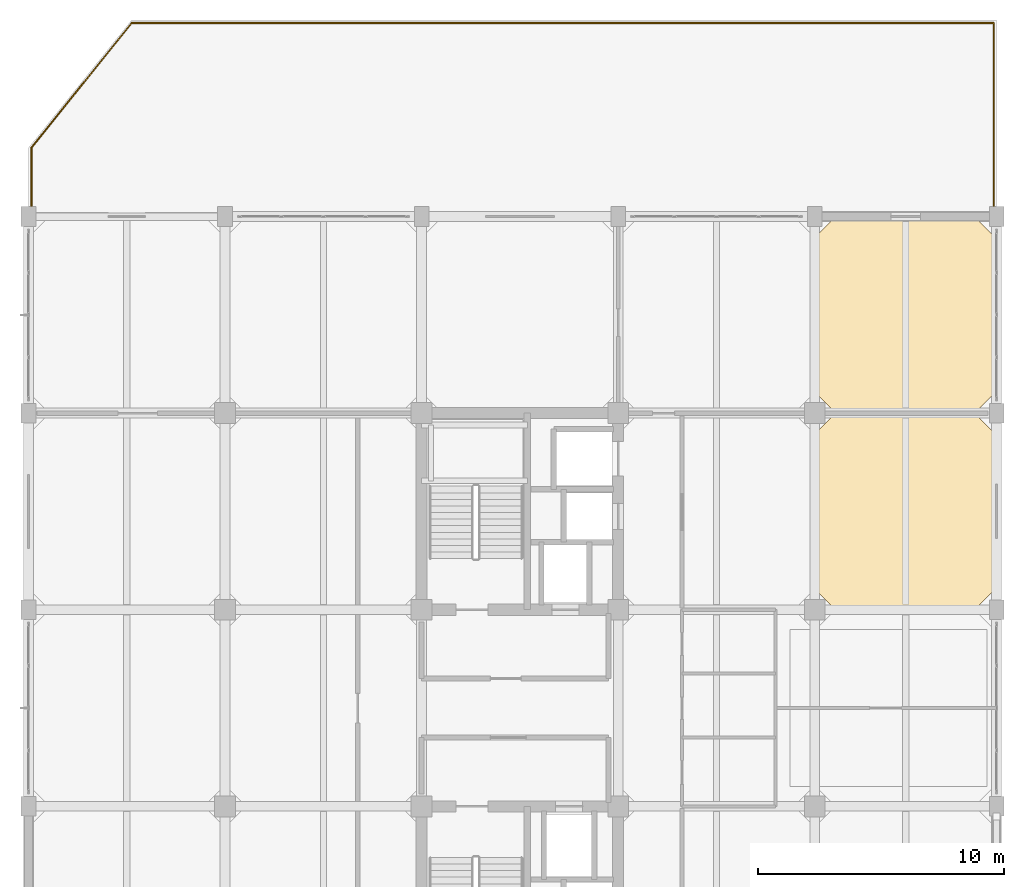
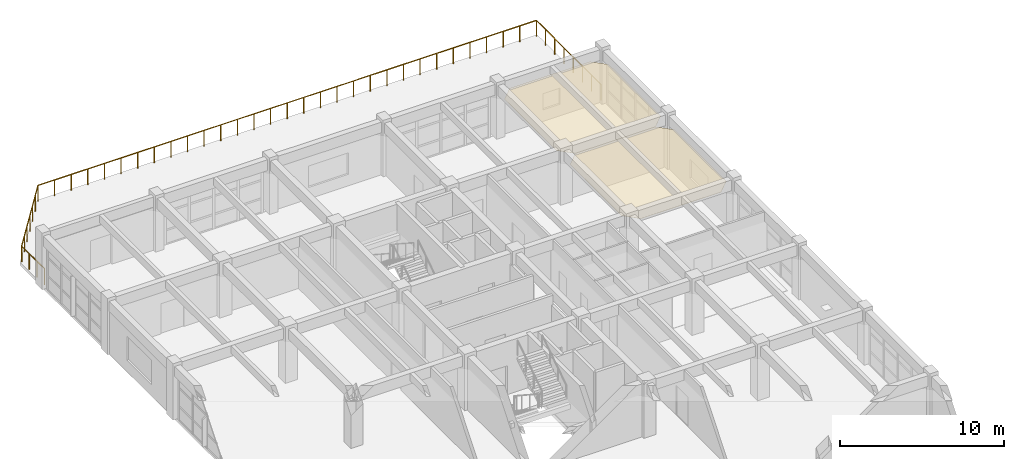
# One storey, part 30 of 30: 2 coverings, 1 railing.
"""IFC4 building model written with IfcOpenShell, lengths in metres."""

from ifc_helpers import new_model, si_unit, direction, frame, origin, origin_2d, place, context, subcontext, project, spatial, polyline, circle, outline, extrude, material, layer, layer_set, type_object, element, save


model = new_model("IFC4")

# Units and contexts
model_context = context("Model", 3, precision=1e-05, world=origin(), true_north=direction((0.0, 1.0)))
body_context = subcontext(model_context, "Body", "Model", "MODEL_VIEW")
ifc_project = project(units=[si_unit("LENGTHUNIT", "METRE"), si_unit("AREAUNIT", "SQUARE_METRE"), si_unit("VOLUMEUNIT", "CUBIC_METRE"), si_unit("PLANEANGLEUNIT", "RADIAN"), si_unit("MASSUNIT", "GRAM", prefix="KILO")], contexts=[model_context])

# Site, building, storey
site_placement = place(None, origin())
site = spatial("IfcSite", under=ifc_project, at=site_placement, CompositionType="ELEMENT")
building_placement = place(site_placement, origin())
building = spatial("IfcBuilding", under=site, at=building_placement, Name="Canggui Botanical Conservatory", CompositionType="ELEMENT")
storey_placement = place(building_placement, frame((0.0, 0.0, 19.199951171875)))
storey = spatial("IfcBuildingStorey", under=building, at=storey_placement, Name="L05", CompositionType="ELEMENT", Elevation=19.199951171875)

# Coverings
ifc_material_1 = material(Name="Mineral Fibre Acoustic Board")
ifc_layer_1 = layer(ifc_material_1, 0.014892578125, Name="Mineral Fibre Acoustic Board")
ifc_layer_set_1 = layer_set([ifc_layer_1], Name="Mineral Fibre Acoustic Board")
covering_type_1 = type_object("IfcCoveringType", Name="COV-CEIL-15", PredefinedType="CEILING", material=ifc_layer_set_1)
covering_1_placement = place(storey_placement, frame((0.0, 0.0, 3.14501953125)))
element("IfcCovering", 1, at=covering_1_placement, inside=storey, type_object=covering_type_1, Name="Suspended Acoustic Ceiling L05-170-66", PredefinedType="CEILING", context=body_context, shape_type="SweptSolid", body=[
    extrude(outline(polyline([(170.85009765625, 66.0), (176.5, 66.0), (177.35009765625, 66.85009765625), (177.35009765625, 73.14990234375), (176.5, 74.0), (170.85009765625, 74.0), (170.0, 73.14990234375), (170.0, 66.85009765625), (170.85009765625, 66.0)])), origin(), (0.0, 0.0, 1.0), 0.01513671875),
])
ifc_material_2 = material(Name="Perforated Gypsum Acoustic Panel")
ifc_layer_2 = layer(ifc_material_2, 0.02001953125, Name="Perforated Gypsum Acoustic Panel")
ifc_layer_set_2 = layer_set([ifc_layer_2], Name="Perforated Gypsum Acoustic Panel")
covering_type_2 = type_object("IfcCoveringType", Name="COV-CEIL-20", PredefinedType="CEILING", material=ifc_layer_set_2)
covering_2_placement = place(storey_placement, frame((0.0, 0.0, 3.14013671875)))
element("IfcCovering", 2, at=covering_2_placement, inside=storey, type_object=covering_type_2, Name="Suspended Acoustic Ceiling L05-170-58", PredefinedType="CEILING", context=body_context, shape_type="SweptSolid", body=[
    extrude(outline(polyline([(170.85009765625, 58.0), (176.5, 58.0), (177.35009765625, 58.85009765625), (177.35009765625, 65.14990234375), (176.5, 66.0), (170.85009765625, 66.0), (170.0, 65.14990234375), (170.0, 58.85009765625), (170.85009765625, 58.0)])), origin(), (0.0, 0.0, 1.0), 0.02001953125),
])

# Railing
ifc_material_3 = material(Name="Laminated Safety Glass", Category="glass")
railing_type = type_object("IfcRailingType", Name="RAIL-TERR-1200", PredefinedType="BALUSTRADE", material=ifc_material_3)
railing_placement = place(storey_placement, frame((138.1201171875, 74.02001953125, 0.0)))
element("IfcRailing", 3, at=railing_placement, inside=storey, type_object=railing_type, Name="Sky Terrace Laminated Glass Balustrade L05", PredefinedType="BALUSTRADE", context=body_context, shape_type="SweptSolid", body=[
    extrude(circle(Radius=0.02392578125, at=origin_2d()), frame((0.0, 0.0, 1.17578125), z_axis=(0.0, 1.0, 0.0), x_axis=(-1.0, 0.0, 0.0)), (0.0, 0.0, 1.0), 2.780029296875),
    extrude(circle(Radius=0.02392578125, at=origin_2d()), frame((0.0, 2.780029296875, 1.17578125), z_axis=(0.626188198729, 0.779671943687, 0.0), x_axis=(-0.779671943687, 0.626188198729, 0.0)), (0.0, 0.0, 1.0), 6.515380859375),
    extrude(circle(Radius=0.02392578125, at=origin_2d()), frame((4.079833984375, 7.85986328125, 1.17578125), z_axis=(1.0, 0.0, 0.0), x_axis=(0.0, 1.0, 0.0)), (0.0, 0.0, 1.0), 35.080078125),
    extrude(circle(Radius=0.02392578125, at=origin_2d()), frame((39.159912109375, 7.85986328125, 1.17578125), z_axis=(0.0, -1.0, 0.0), x_axis=(1.0, 0.0, 0.0)), (0.0, 0.0, 1.0), 7.85986328125),
    extrude(circle(Radius=0.02099609375, at=origin_2d()), origin(), (0.0, 0.0, 1.0), 1.15185546875),
    extrude(circle(Radius=0.02099609375, at=origin_2d()), frame((0.0, 0.9267578125, 0.0)), (0.0, 0.0, 1.0), 1.15185546875),
    extrude(circle(Radius=0.02099609375, at=origin_2d()), frame((0.0, 1.853271484375, 0.0)), (0.0, 0.0, 1.0), 1.15185546875),
    extrude(circle(Radius=0.02099609375, at=origin_2d()), frame((0.0, 2.780029296875, 0.0)), (0.0, 0.0, 1.0), 1.15185546875),
    extrude(circle(Radius=0.02099609375, at=origin_2d()), frame((0.679931640625, 3.626708984375, 0.0)), (0.0, 0.0, 1.0), 1.15185546875),
    extrude(circle(Radius=0.02099609375, at=origin_2d()), frame((1.35986328125, 4.473388671875, 0.0)), (0.0, 0.0, 1.0), 1.15185546875),
    extrude(circle(Radius=0.02099609375, at=origin_2d()), frame((2.0400390625, 5.31982421875, 0.0)), (0.0, 0.0, 1.0), 1.15185546875),
    extrude(circle(Radius=0.02099609375, at=origin_2d()), frame((2.719970703125, 6.16650390625, 0.0)), (0.0, 0.0, 1.0), 1.15185546875),
    extrude(circle(Radius=0.02099609375, at=origin_2d()), frame((3.39990234375, 7.01318359375, 0.0)), (0.0, 0.0, 1.0), 1.15185546875),
    extrude(circle(Radius=0.02099609375, at=origin_2d()), frame((4.079833984375, 7.85986328125, 0.0)), (0.0, 0.0, 1.0), 1.15185546875),
    extrude(circle(Radius=0.02099609375, at=origin_2d()), frame((5.249267578125, 7.85986328125, 0.0)), (0.0, 0.0, 1.0), 1.15185546875),
    extrude(circle(Radius=0.02099609375, at=origin_2d()), frame((6.41845703125, 7.85986328125, 0.0)), (0.0, 0.0, 1.0), 1.15185546875),
    extrude(circle(Radius=0.02099609375, at=origin_2d()), frame((7.587890625, 7.85986328125, 0.0)), (0.0, 0.0, 1.0), 1.15185546875),
    extrude(circle(Radius=0.02099609375, at=origin_2d()), frame((8.757080078125, 7.85986328125, 0.0)), (0.0, 0.0, 1.0), 1.15185546875),
    extrude(circle(Radius=0.02099609375, at=origin_2d()), frame((9.926513671875, 7.85986328125, 0.0)), (0.0, 0.0, 1.0), 1.15185546875),
    extrude(circle(Radius=0.02099609375, at=origin_2d()), frame((11.095947265625, 7.85986328125, 0.0)), (0.0, 0.0, 1.0), 1.15185546875),
    extrude(circle(Radius=0.02099609375, at=origin_2d()), frame((12.26513671875, 7.85986328125, 0.0)), (0.0, 0.0, 1.0), 1.15185546875),
    extrude(circle(Radius=0.02099609375, at=origin_2d()), frame((13.4345703125, 7.85986328125, 0.0)), (0.0, 0.0, 1.0), 1.15185546875),
    extrude(circle(Radius=0.02099609375, at=origin_2d()), frame((14.603759765625, 7.85986328125, 0.0)), (0.0, 0.0, 1.0), 1.15185546875),
    extrude(circle(Radius=0.02099609375, at=origin_2d()), frame((15.773193359375, 7.85986328125, 0.0)), (0.0, 0.0, 1.0), 1.15185546875),
    extrude(circle(Radius=0.02099609375, at=origin_2d()), frame((16.942626953125, 7.85986328125, 0.0)), (0.0, 0.0, 1.0), 1.15185546875),
    extrude(circle(Radius=0.02099609375, at=origin_2d()), frame((18.11181640625, 7.85986328125, 0.0)), (0.0, 0.0, 1.0), 1.15185546875),
    extrude(circle(Radius=0.02099609375, at=origin_2d()), frame((19.28125, 7.85986328125, 0.0)), (0.0, 0.0, 1.0), 1.15185546875),
    extrude(circle(Radius=0.02099609375, at=origin_2d()), frame((20.450439453125, 7.85986328125, 0.0)), (0.0, 0.0, 1.0), 1.15185546875),
    extrude(circle(Radius=0.02099609375, at=origin_2d()), frame((21.619873046875, 7.85986328125, 0.0)), (0.0, 0.0, 1.0), 1.15185546875),
    extrude(circle(Radius=0.02099609375, at=origin_2d()), frame((22.789306640625, 7.85986328125, 0.0)), (0.0, 0.0, 1.0), 1.15185546875),
    extrude(circle(Radius=0.02099609375, at=origin_2d()), frame((23.95849609375, 7.85986328125, 0.0)), (0.0, 0.0, 1.0), 1.15185546875),
    extrude(circle(Radius=0.02099609375, at=origin_2d()), frame((25.1279296875, 7.85986328125, 0.0)), (0.0, 0.0, 1.0), 1.15185546875),
    extrude(circle(Radius=0.02099609375, at=origin_2d()), frame((26.297119140625, 7.85986328125, 0.0)), (0.0, 0.0, 1.0), 1.15185546875),
    extrude(circle(Radius=0.02099609375, at=origin_2d()), frame((27.466552734375, 7.85986328125, 0.0)), (0.0, 0.0, 1.0), 1.15185546875),
    extrude(circle(Radius=0.02099609375, at=origin_2d()), frame((28.635986328125, 7.85986328125, 0.0)), (0.0, 0.0, 1.0), 1.15185546875),
    extrude(circle(Radius=0.02099609375, at=origin_2d()), frame((29.80517578125, 7.85986328125, 0.0)), (0.0, 0.0, 1.0), 1.15185546875),
    extrude(circle(Radius=0.02099609375, at=origin_2d()), frame((30.974609375, 7.85986328125, 0.0)), (0.0, 0.0, 1.0), 1.15185546875),
    extrude(circle(Radius=0.02099609375, at=origin_2d()), frame((32.143798828125, 7.85986328125, 0.0)), (0.0, 0.0, 1.0), 1.15185546875),
    extrude(circle(Radius=0.02099609375, at=origin_2d()), frame((33.313232421875, 7.85986328125, 0.0)), (0.0, 0.0, 1.0), 1.15185546875),
    extrude(circle(Radius=0.02099609375, at=origin_2d()), frame((34.482666015625, 7.85986328125, 0.0)), (0.0, 0.0, 1.0), 1.15185546875),
    extrude(circle(Radius=0.02099609375, at=origin_2d()), frame((35.65185546875, 7.85986328125, 0.0)), (0.0, 0.0, 1.0), 1.15185546875),
    extrude(circle(Radius=0.02099609375, at=origin_2d()), frame((36.8212890625, 7.85986328125, 0.0)), (0.0, 0.0, 1.0), 1.15185546875),
    extrude(circle(Radius=0.02099609375, at=origin_2d()), frame((37.990478515625, 7.85986328125, 0.0)), (0.0, 0.0, 1.0), 1.15185546875),
    extrude(circle(Radius=0.02099609375, at=origin_2d()), frame((39.159912109375, 7.85986328125, 0.0)), (0.0, 0.0, 1.0), 1.15185546875),
    extrude(circle(Radius=0.02099609375, at=origin_2d()), frame((39.159912109375, 6.737060546875, 0.0)), (0.0, 0.0, 1.0), 1.15185546875),
    extrude(circle(Radius=0.02099609375, at=origin_2d()), frame((39.159912109375, 5.6142578125, 0.0)), (0.0, 0.0, 1.0), 1.15185546875),
    extrude(circle(Radius=0.02099609375, at=origin_2d()), frame((39.159912109375, 4.491455078125, 0.0)), (0.0, 0.0, 1.0), 1.15185546875),
    extrude(circle(Radius=0.02099609375, at=origin_2d()), frame((39.159912109375, 3.368408203125, 0.0)), (0.0, 0.0, 1.0), 1.15185546875),
    extrude(circle(Radius=0.02099609375, at=origin_2d()), frame((39.159912109375, 2.24560546875, 0.0)), (0.0, 0.0, 1.0), 1.15185546875),
    extrude(circle(Radius=0.02099609375, at=origin_2d()), frame((39.159912109375, 1.122802734375, 0.0)), (0.0, 0.0, 1.0), 1.15185546875),
    extrude(circle(Radius=0.02099609375, at=origin_2d()), frame((39.159912109375, 0.0, 0.0)), (0.0, 0.0, 1.0), 1.15185546875),
])

save(model, "model.ifc")
